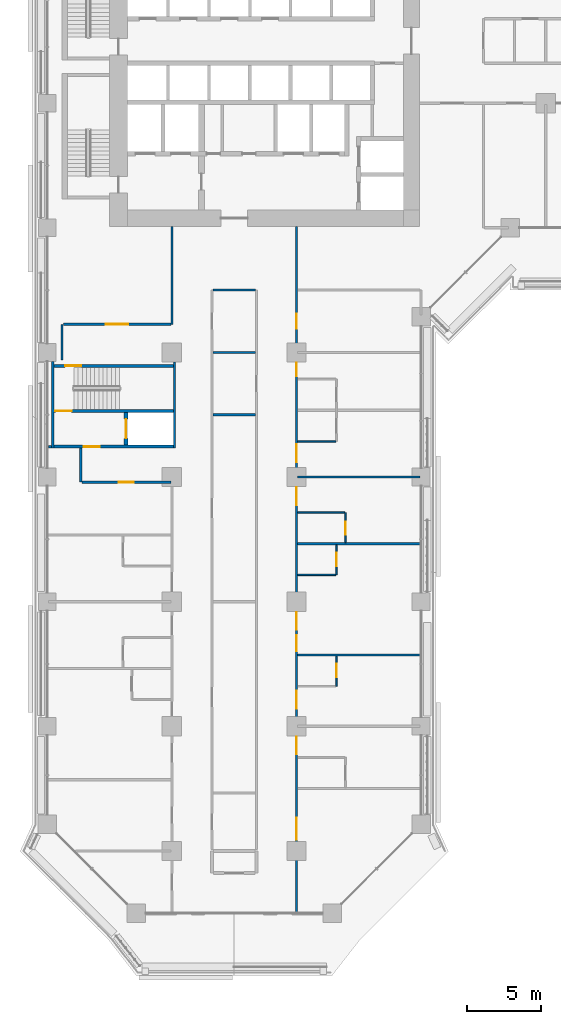
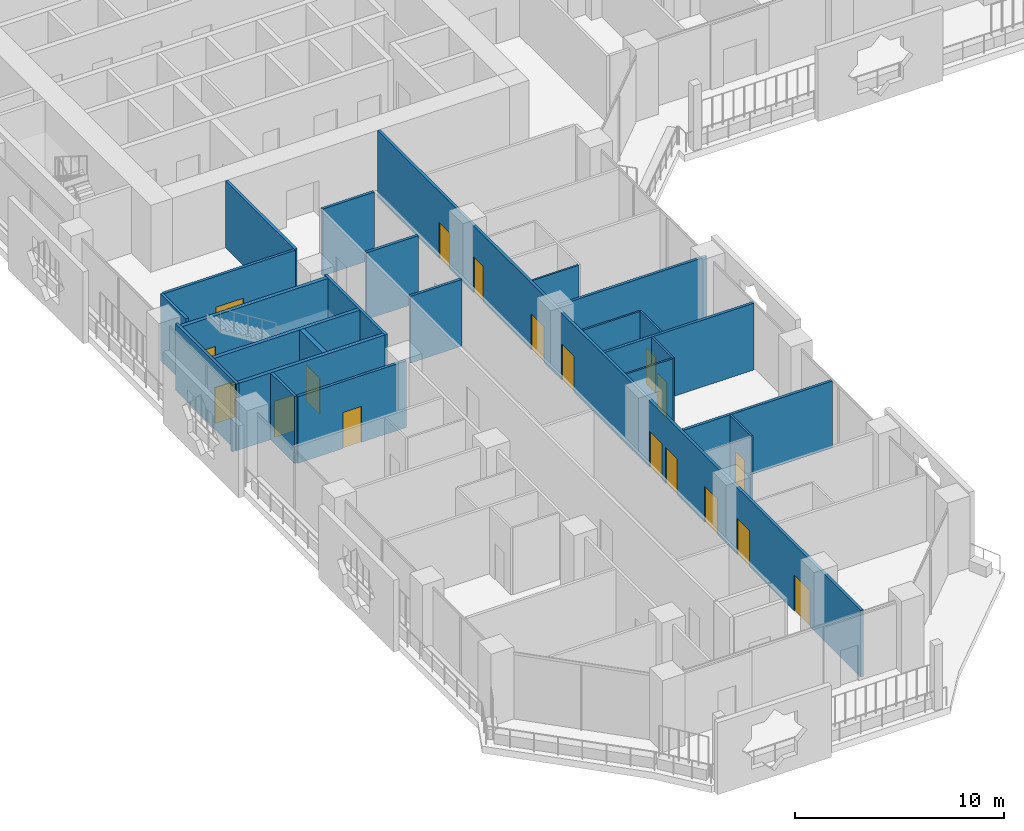
# One storey, part 14 of 29: 25 walls, 18 doors, 18 openings.
"""IFC4 building model written with IfcOpenShell, lengths in metres."""

from ifc_helpers import new_model, si_unit, direction, frame, frame_2d, origin, place, context, subcontext, project, spatial, rectangle, extrude, material, layer, layer_set, type_object, element, fill, save


model = new_model("IFC4")

# Units and contexts
model_context = context("Model", 3, precision=1e-05, world=origin(), true_north=direction((0.0, 1.0)))
body_context = subcontext(model_context, "Body", "Model", "MODEL_VIEW")
ifc_project = project(units=[si_unit("LENGTHUNIT", "METRE"), si_unit("AREAUNIT", "SQUARE_METRE"), si_unit("VOLUMEUNIT", "CUBIC_METRE"), si_unit("PLANEANGLEUNIT", "RADIAN"), si_unit("MASSUNIT", "GRAM", prefix="KILO")], contexts=[model_context])

# Site, building, storey
site_placement = place(None, origin())
site = spatial("IfcSite", under=ifc_project, at=site_placement, CompositionType="ELEMENT")
building_placement = place(site_placement, origin())
building = spatial("IfcBuilding", under=site, at=building_placement, Name="Kawkab Arch Medical Tower", CompositionType="ELEMENT")
storey_placement = place(building_placement, frame((0.0, 0.0, 64.39990234375)))
storey = spatial("IfcBuildingStorey", under=building, at=storey_placement, Name="L14", CompositionType="ELEMENT", Elevation=64.39990234375)

# Wall, opening, door
ifc_material_1 = material(Name="Concrete C60/75", Category="concrete")
ifc_layer_1 = layer(ifc_material_1, 0.25)
ifc_layer_set_1 = layer_set([ifc_layer_1], Name="Concrete C60/75")
wall_type_1 = type_object("IfcWallType", Name="Core shear wall 250 C60/75", PredefinedType="SHEAR", material=ifc_layer_set_1)
wall_1_placement = place(storey_placement, frame((5.300048828125, -39.85009765625, 0.0), z_axis=(0.0, 0.0, 1.0), x_axis=(0.0, 1.0, 0.0)))
wall_1 = element("IfcWall", 1, at=wall_1_placement, inside=storey, type_object=wall_type_1, Name="L14 core shear wall", PredefinedType="SHEAR", context=body_context, shape_type="SweptSolid", body=[
    extrude(rectangle(XDim=2.2001953125, YDim=0.25, at=frame_2d((1.10009765625, 0.0))), origin(), (0.0, 0.0, 1.0), 3.900146484375),
])
opening_1_placement = place(wall_1_placement, frame((0.449951171875, 0.0, 0.0)))
opening_1 = element("IfcOpeningElement", 2, at=opening_1_placement, cuts=wall_1, Name="Opening LD2", PredefinedType="OPENING", context=body_context, shape_type="SweptSolid", body=[
    extrude(rectangle(XDim=1.300048828125, YDim=2.10009765625, at=frame_2d((0.64990234375, 1.050048828125))), frame((0.0, 0.135009765625, 0.0), z_axis=(0.0, -1.0, 0.0), x_axis=(1.0, 0.0, 0.0)), (0.0, 0.0, 1.0), 0.27001953125),
])
ifc_material_2 = material(Name="Stainless steel lift door leaf", Category="steel")
door_type_1 = type_object("IfcDoorType", Name="Lift landing door 1300", OperationType="DOUBLE_DOOR_SLIDING", PredefinedType="DOOR", material=ifc_material_2)
door_1_placement = place(opening_1_placement, origin())
door_1 = element("IfcDoor", 3, at=door_1_placement, inside=storey, type_object=door_type_1, Name="L14 Lift landing door SV2", OperationType="DOUBLE_DOOR_SLIDING", OverallHeight=2.10009765625, OverallWidth=1.300048828125, PredefinedType="DOOR", context=body_context, shape_type="SweptSolid", body=[
    extrude(rectangle(XDim=1.300048828125, YDim=2.10009765625, at=frame_2d((0.64990234375, 1.050048828125))), frame((0.0, 0.02490234375, 0.0), z_axis=(0.0, -1.0, 0.0), x_axis=(1.0, 0.0, 0.0)), (0.0, 0.0, 1.0), 0.050048828125),
])
fill(opening_1, door_1)

# Walls
ifc_material_3 = material(Name="Gypsum board partition on steel studs", Category="steel")
ifc_layer_2 = layer(ifc_material_3, 0.10009765625)
ifc_layer_set_2 = layer_set([ifc_layer_2], Name="Gypsum board partition on steel studs")
wall_type_2 = type_object("IfcWallType", Name="Partition 100", PredefinedType="PARTITIONING", material=ifc_layer_set_2)
wall_2_placement = place(storey_placement, frame((16.875, -48.60009765625, 0.0), z_axis=(0.0, 0.0, 1.0), x_axis=(1.0, 0.0, 0.0)))
element("IfcWall", 4, at=wall_2_placement, inside=storey, type_object=wall_type_2, Name="Partition 100 w005", PredefinedType="PARTITIONING", context=body_context, shape_type="SweptSolid", body=[
    extrude(rectangle(XDim=2.573974609375, YDim=0.10009765625, at=frame_2d((1.287109375, 0.0))), origin(), (0.0, 0.0, 1.0), 3.900146484375),
])
wall_3_placement = place(storey_placement, frame((16.875, -44.39990234375, 0.0), z_axis=(0.0, 0.0, 1.0), x_axis=(1.0, 0.0, 0.0)))
element("IfcWall", 5, at=wall_3_placement, inside=storey, type_object=wall_type_2, Name="Partition 100 w007", PredefinedType="PARTITIONING", context=body_context, shape_type="SweptSolid", body=[
    extrude(rectangle(XDim=3.175048828125, YDim=0.10009765625, at=frame_2d((1.58740234375, 0.0))), origin(), (0.0, 0.0, 1.0), 3.900146484375),
])
wall_4_placement = place(storey_placement, frame((16.875, -39.60009765625, 0.0), z_axis=(0.0, 0.0, 1.0), x_axis=(1.0, 0.0, 0.0)))
element("IfcWall", 6, at=wall_4_placement, inside=storey, type_object=wall_type_2, Name="Partition 100 w008", PredefinedType="PARTITIONING", context=body_context, shape_type="SweptSolid", body=[
    extrude(rectangle(XDim=2.574951171875, YDim=0.10009765625, at=frame_2d((1.28759765625, 0.0))), origin(), (0.0, 0.0, 1.0), 3.900146484375),
])

# Wall, opening, door
wall_5_placement = place(storey_placement, frame((19.5, -56.10009765625, 0.0), z_axis=(0.0, 0.0, 1.0), x_axis=(0.0, 1.0, 0.0)))
wall_5 = element("IfcWall", 7, at=wall_5_placement, inside=storey, type_object=wall_type_2, Name="Partition 100 w022", PredefinedType="PARTITIONING", context=body_context, shape_type="SweptSolid", body=[
    extrude(rectangle(XDim=2.025146484375, YDim=0.10009765625, at=frame_2d((1.0126953125, 0.0))), origin(), (0.0, 0.0, 1.0), 3.900146484375),
])
opening_2_placement = place(wall_5_placement, frame((0.60009765625, 0.0, 0.0)))
opening_2 = element("IfcOpeningElement", 8, at=opening_2_placement, cuts=wall_5, Name="Opening W14-026", PredefinedType="OPENING", context=body_context, shape_type="SweptSolid", body=[
    extrude(rectangle(XDim=0.89990234375, YDim=2.10009765625, at=frame_2d((0.449951171875, 1.050048828125))), frame((0.0, 0.06005859375, 0.0), z_axis=(0.0, -1.0, 0.0), x_axis=(1.0, 0.0, 0.0)), (0.0, 0.0, 1.0), 0.1201171875),
])
ifc_material_4 = material(Name="Timber door leaf", Category="wood")
door_type_2 = type_object("IfcDoorType", Name="Single door 900x2100", OperationType="NOTDEFINED", PredefinedType="DOOR", material=ifc_material_4)
door_2_placement = place(opening_2_placement, origin())
door_2 = element("IfcDoor", 9, at=door_2_placement, inside=storey, type_object=door_type_2, Name="Door W14-026", OperationType="SINGLE_SWING_RIGHT", OverallHeight=2.10009765625, OverallWidth=0.89990234375, PredefinedType="DOOR", context=body_context, shape_type="SweptSolid", body=[
    extrude(rectangle(XDim=0.89990234375, YDim=2.10009765625, at=frame_2d((0.449951171875, 1.050048828125))), frame((0.0, 0.02490234375, 0.0), z_axis=(0.0, -1.0, 0.0), x_axis=(1.0, 0.0, 0.0)), (0.0, 0.0, 1.0), 0.050048828125),
])
fill(opening_2, door_2)

wall_6_placement = place(storey_placement, frame((19.5, -48.597900390625, 0.0), z_axis=(0.0, 0.0, 1.0), x_axis=(0.0, 1.0, 0.0)))
wall_6 = element("IfcWall", 10, at=wall_6_placement, inside=storey, type_object=wall_type_2, Name="Partition 100 w023", PredefinedType="PARTITIONING", context=body_context, shape_type="SweptSolid", body=[
    extrude(rectangle(XDim=2.02294921875, YDim=0.10009765625, at=frame_2d((1.011474609375, 0.0))), origin(), (0.0, 0.0, 1.0), 3.900146484375),
])
opening_3_placement = place(wall_6_placement, frame((0.59912109375, 0.0, 0.0)))
opening_3 = element("IfcOpeningElement", 11, at=opening_3_placement, cuts=wall_6, Name="Opening W14-025", PredefinedType="OPENING", context=body_context, shape_type="SweptSolid", body=[
    extrude(rectangle(XDim=0.89990234375, YDim=2.10009765625, at=frame_2d((0.449951171875, 1.050048828125))), frame((0.0, 0.06005859375, 0.0), z_axis=(0.0, -1.0, 0.0), x_axis=(1.0, 0.0, 0.0)), (0.0, 0.0, 1.0), 0.1201171875),
])
door_3_placement = place(opening_3_placement, origin())
door_3 = element("IfcDoor", 12, at=door_3_placement, inside=storey, type_object=door_type_2, Name="Door W14-025", OperationType="SINGLE_SWING_RIGHT", OverallHeight=2.10009765625, OverallWidth=0.89990234375, PredefinedType="DOOR", context=body_context, shape_type="SweptSolid", body=[
    extrude(rectangle(XDim=0.89990234375, YDim=2.10009765625, at=frame_2d((0.449951171875, 1.050048828125))), frame((0.0, 0.02490234375, 0.0), z_axis=(0.0, -1.0, 0.0), x_axis=(1.0, 0.0, 0.0)), (0.0, 0.0, 1.0), 0.050048828125),
])
fill(opening_3, door_3)

wall_7_placement = place(storey_placement, frame((20.10009765625, -46.425048828125, 0.0), z_axis=(0.0, 0.0, 1.0), x_axis=(0.0, 1.0, 0.0)))
wall_7 = element("IfcWall", 13, at=wall_7_placement, inside=storey, type_object=wall_type_2, Name="Partition 100 w026", PredefinedType="PARTITIONING", context=body_context, shape_type="SweptSolid", body=[
    extrude(rectangle(XDim=2.025146484375, YDim=0.10009765625, at=frame_2d((1.0126953125, 0.0))), origin(), (0.0, 0.0, 1.0), 3.900146484375),
])
opening_4_placement = place(wall_7_placement, frame((0.52490234375, 0.0, 0.0)))
opening_4 = element("IfcOpeningElement", 14, at=opening_4_placement, cuts=wall_7, Name="Opening W14-024", PredefinedType="OPENING", context=body_context, shape_type="SweptSolid", body=[
    extrude(rectangle(XDim=0.89990234375, YDim=2.10009765625, at=frame_2d((0.449951171875, 1.050048828125))), frame((0.0, 0.06005859375, 0.0), z_axis=(0.0, -1.0, 0.0), x_axis=(1.0, 0.0, 0.0)), (0.0, 0.0, 1.0), 0.1201171875),
])
door_4_placement = place(opening_4_placement, origin())
door_4 = element("IfcDoor", 15, at=door_4_placement, inside=storey, type_object=door_type_2, Name="Door W14-024", OperationType="SINGLE_SWING_LEFT", OverallHeight=2.10009765625, OverallWidth=0.89990234375, PredefinedType="DOOR", context=body_context, shape_type="SweptSolid", body=[
    extrude(rectangle(XDim=0.89990234375, YDim=2.10009765625, at=frame_2d((0.449951171875, 1.050048828125))), frame((0.0, 0.02490234375, 0.0), z_axis=(0.0, -1.0, 0.0), x_axis=(1.0, 0.0, 0.0)), (0.0, 0.0, 1.0), 0.050048828125),
])
fill(opening_4, door_4)

# Walls
ifc_material_5 = material(Name="Gypsum board partition on steel studs, mineral wool", Category="steel")
ifc_layer_3 = layer(ifc_material_5, 0.14990234375)
ifc_layer_set_3 = layer_set([ifc_layer_3], Name="Gypsum board partition on steel studs, mineral wool")
wall_type_3 = type_object("IfcWallType", Name="Partition 150", PredefinedType="PARTITIONING", material=ifc_layer_set_3)
for number, where, z_axis, x_axis, name in (
    (16, (16.875, -54.0, 0.0), (0.0, 0.0, 1.0), (1.0, 0.0, 0.0), "Partition 150 w046"),
    (17, (16.875, -46.5, 0.0), (0.0, 0.0, 1.0), (1.0, 0.0, 0.0), "Partition 150 w049"),
):
    element("IfcWall", number, at=place(storey_placement, frame(where, z_axis=z_axis, x_axis=x_axis)), inside=storey, type_object=wall_type_3, Name=name, PredefinedType="PARTITIONING", context=body_context, shape_type="SweptSolid", body=[
        extrude(rectangle(XDim=8.2451171875, YDim=0.14990234375, at=frame_2d((4.12255859375, 0.0))), origin(), (0.0, 0.0, 1.0), 3.900146484375),
    ])

# Wall, opening, door
wall_8_placement = place(storey_placement, frame((2.325927734375, -42.35009765625, 0.0), z_axis=(0.0, 0.0, 1.0), x_axis=(1.0, 0.0, 0.0)))
wall_8 = element("IfcWall", 18, at=wall_8_placement, inside=storey, type_object=wall_type_3, Name="Partition 150 w051", PredefinedType="PARTITIONING", context=body_context, shape_type="SweptSolid", body=[
    extrude(rectangle(XDim=5.9990234375, YDim=0.14990234375, at=frame_2d((2.99951171875, 0.0))), origin(), (0.0, 0.0, 1.0), 3.900146484375),
])
opening_5_placement = place(wall_8_placement, frame((2.4990234375, 0.0, 0.0)))
opening_5 = element("IfcOpeningElement", 19, at=opening_5_placement, cuts=wall_8, Name="Opening W14-040", PredefinedType="OPENING", context=body_context, shape_type="SweptSolid", body=[
    extrude(rectangle(XDim=1.0, YDim=2.10009765625, at=frame_2d((0.5, 1.050048828125))), frame((0.0, 0.0849609375, 0.0), z_axis=(0.0, -1.0, 0.0), x_axis=(1.0, 0.0, 0.0)), (0.0, 0.0, 1.0), 0.169921875),
])
ifc_material_6 = material(Name="Hollow metal door leaf")
door_type_3 = type_object("IfcDoorType", Name="Single door 1000x2100 FD30S", OperationType="NOTDEFINED", PredefinedType="DOOR", material=ifc_material_6)
door_5_placement = place(opening_5_placement, origin())
door_5 = element("IfcDoor", 20, at=door_5_placement, inside=storey, type_object=door_type_3, Name="Door W14-040", OperationType="SINGLE_SWING_LEFT", OverallHeight=2.10009765625, OverallWidth=1.0, PredefinedType="DOOR", context=body_context, shape_type="SweptSolid", body=[
    extrude(rectangle(XDim=1.0, YDim=2.10009765625, at=frame_2d((0.5, 1.050048828125))), frame((0.0, 0.02490234375, 0.0), z_axis=(0.0, -1.0, 0.0), x_axis=(1.0, 0.0, 0.0)), (0.0, 0.0, 1.0), 0.050048828125),
])
fill(opening_5, door_5)

# Walls
wall_9_placement = place(storey_placement, frame((16.875, -42.0, 0.0), z_axis=(0.0, 0.0, 1.0), x_axis=(1.0, 0.0, 0.0)))
element("IfcWall", 21, at=wall_9_placement, inside=storey, type_object=wall_type_3, Name="Partition 150 w052", PredefinedType="PARTITIONING", context=body_context, shape_type="SweptSolid", body=[
    extrude(rectangle(XDim=8.2451171875, YDim=0.14990234375, at=frame_2d((4.12255859375, 0.0))), origin(), (0.0, 0.0, 1.0), 3.900146484375),
])
wall_10_placement = place(storey_placement, frame((0.080078125, -39.949951171875, 0.0), z_axis=(0.0, 0.0, 1.0), x_axis=(1.0, 0.0, 0.0)))
element("IfcWall", 22, at=wall_10_placement, inside=storey, type_object=wall_type_3, Name="Partition 150 w053", PredefinedType="PARTITIONING", context=body_context, shape_type="SweptSolid", body=[
    extrude(rectangle(XDim=0.18994140625, YDim=0.14990234375, at=frame_2d((0.094970703125, 0.0))), origin(), (0.0, 0.0, 1.0), 3.900146484375),
])
for number, where, z_axis, x_axis, name in (
    (23, (11.175048828125, -37.800048828125, 0.0), (0.0, 0.0, 1.0), (1.0, 0.0, 0.0), "Partition 150 w054"),
    (24, (11.175048828125, -33.60009765625, 0.0), (0.0, 0.0, 1.0), (1.0, 0.0, 0.0), "Partition 150 w056"),
):
    element("IfcWall", number, at=place(storey_placement, frame(where, z_axis=z_axis, x_axis=x_axis)), inside=storey, type_object=wall_type_3, Name=name, PredefinedType="PARTITIONING", context=body_context, shape_type="SweptSolid", body=[
        extrude(rectangle(XDim=2.849853515625, YDim=0.14990234375, at=frame_2d((1.4248046875, 0.0))), origin(), (0.0, 0.0, 1.0), 3.900146484375),
    ])

# Wall, opening, door
wall_11_placement = place(storey_placement, frame((1.077880859375, -31.70703125, 0.0), z_axis=(0.0, 0.0, 1.0), x_axis=(1.0, 0.0, 0.0)))
wall_11 = element("IfcWall", 25, at=wall_11_placement, inside=storey, type_object=wall_type_3, Name="Partition 150 w058", PredefinedType="PARTITIONING", context=body_context, shape_type="SweptSolid", body=[
    extrude(rectangle(XDim=7.2470703125, YDim=0.14990234375, at=frame_2d((3.62353515625, 0.0))), origin(), (0.0, 0.0, 1.0), 3.900146484375),
])
opening_6_placement = place(wall_11_placement, frame((2.873046875, 0.0, 0.0)))
opening_6 = element("IfcOpeningElement", 26, at=opening_6_placement, cuts=wall_11, Name="Opening W14-003", PredefinedType="OPENING", context=body_context, shape_type="SweptSolid", body=[
    extrude(rectangle(XDim=1.5, YDim=2.10009765625, at=frame_2d((0.75, 1.050048828125))), frame((0.0, 0.0849609375, 0.0), z_axis=(0.0, -1.0, 0.0), x_axis=(1.0, 0.0, 0.0)), (0.0, 0.0, 1.0), 0.169921875),
])
ifc_material_7 = material(Name="Hollow metal door leaf")
door_type_4 = type_object("IfcDoorType", Name="Double door 1500x2100 FD30S", OperationType="NOTDEFINED", PredefinedType="DOOR", material=ifc_material_7)
door_6_placement = place(opening_6_placement, origin())
door_6 = element("IfcDoor", 27, at=door_6_placement, inside=storey, type_object=door_type_4, Name="Door W14-003", OperationType="DOUBLE_DOOR_SINGLE_SWING", OverallHeight=2.10009765625, OverallWidth=1.5, PredefinedType="DOOR", context=body_context, shape_type="SweptSolid", body=[
    extrude(rectangle(XDim=1.5, YDim=2.10009765625, at=frame_2d((0.75, 1.050048828125))), frame((0.0, 0.02490234375, 0.0), z_axis=(0.0, -1.0, 0.0), x_axis=(1.0, 0.0, 0.0)), (0.0, 0.0, 1.0), 0.050048828125),
])
fill(opening_6, door_6)

# Walls
wall_12_placement = place(storey_placement, frame((11.175048828125, -29.39990234375, 0.0), z_axis=(0.0, 0.0, 1.0), x_axis=(1.0, 0.0, 0.0)))
element("IfcWall", 28, at=wall_12_placement, inside=storey, type_object=wall_type_3, Name="Partition 150 w059", PredefinedType="PARTITIONING", context=body_context, shape_type="SweptSolid", body=[
    extrude(rectangle(XDim=2.849853515625, YDim=0.14990234375, at=frame_2d((1.4248046875, 0.0))), origin(), (0.0, 0.0, 1.0), 3.900146484375),
])
wall_13_placement = place(storey_placement, frame((1.0, -34.123046875, 0.0), z_axis=(0.0, 0.0, 1.0), x_axis=(0.0, 1.0, 0.0)))
element("IfcWall", 29, at=wall_13_placement, inside=storey, type_object=wall_type_3, Name="Partition 150 w071", PredefinedType="PARTITIONING", context=body_context, shape_type="SweptSolid", body=[
    extrude(rectangle(XDim=2.4140625, YDim=0.14990234375, at=frame_2d((1.20703125, 0.0))), origin(), (0.0, 0.0, 1.0), 3.900146484375),
])
wall_14_placement = place(storey_placement, frame((2.25, -42.347900390625, 0.0), z_axis=(0.0, 0.0, 1.0), x_axis=(0.0, 1.0, 0.0)))
element("IfcWall", 30, at=wall_14_placement, inside=storey, type_object=wall_type_3, Name="Partition 150 w072", PredefinedType="PARTITIONING", context=body_context, shape_type="SweptSolid", body=[
    extrude(rectangle(XDim=2.2978515625, YDim=0.14990234375, at=frame_2d((1.14892578125, 0.0))), origin(), (0.0, 0.0, 1.0), 3.900146484375),
])
wall_15_placement = place(storey_placement, frame((8.39990234375, -31.70703125, 0.0), z_axis=(0.0, 0.0, 1.0), x_axis=(0.0, 1.0, 0.0)))
element("IfcWall", 31, at=wall_15_placement, inside=storey, type_object=wall_type_3, Name="Partition 150 w074", PredefinedType="PARTITIONING", context=body_context, shape_type="SweptSolid", body=[
    extrude(rectangle(XDim=6.60693359375, YDim=0.14990234375, at=frame_2d((3.303466796875, 0.0))), origin(), (0.0, 0.0, 1.0), 3.900146484375),
])

# Wall, openings, doors
wall_16_placement = place(storey_placement, frame((16.800048828125, -71.320068359375, 0.0), z_axis=(0.0, 0.0, 1.0), x_axis=(0.0, 1.0, 0.0)))
wall_16 = element("IfcWall", 32, at=wall_16_placement, inside=storey, type_object=wall_type_3, Name="Partition 150 w077", PredefinedType="PARTITIONING", context=body_context, shape_type="SweptSolid", body=[
    extrude(rectangle(XDim=46.219970703125, YDim=0.14990234375, at=frame_2d((23.10986328125, 0.0))), origin(), (0.0, 0.0, 1.0), 3.900146484375),
])
opening_7_placement = place(wall_16_placement, frame((39.320068359375, 0.0, 0.0)))
opening_7 = element("IfcOpeningElement", 33, at=opening_7_placement, cuts=wall_16, Name="Opening W14-046", PredefinedType="OPENING", context=body_context, shape_type="SweptSolid", body=[
    extrude(rectangle(XDim=1.0, YDim=2.10009765625, at=frame_2d((0.5, 1.050048828125))), frame((0.0, 0.0849609375, 0.0), z_axis=(0.0, -1.0, 0.0), x_axis=(1.0, 0.0, 0.0)), (0.0, 0.0, 1.0), 0.169921875),
])
opening_8_placement = place(wall_16_placement, frame((36.1201171875, 0.0, 0.0)))
opening_8 = element("IfcOpeningElement", 34, at=opening_8_placement, cuts=wall_16, Name="Opening W14-029", PredefinedType="OPENING", context=body_context, shape_type="SweptSolid", body=[
    extrude(rectangle(XDim=0.89990234375, YDim=2.10009765625, at=frame_2d((0.449951171875, 1.050048828125))), frame((0.0, 0.0849609375, 0.0), z_axis=(0.0, -1.0, 0.0), x_axis=(1.0, 0.0, 0.0)), (0.0, 0.0, 1.0), 0.169921875),
])
opening_9_placement = place(wall_16_placement, frame((30.320068359375, 0.0, 0.0)))
opening_9 = element("IfcOpeningElement", 35, at=opening_9_placement, cuts=wall_16, Name="Opening W14-070", PredefinedType="OPENING", context=body_context, shape_type="SweptSolid", body=[
    extrude(rectangle(XDim=1.199951171875, YDim=2.10009765625, at=frame_2d((0.60009765625, 1.050048828125))), frame((0.0, 0.0849609375, 0.0), z_axis=(0.0, -1.0, 0.0), x_axis=(1.0, 0.0, 0.0)), (0.0, 0.0, 1.0), 0.169921875),
])
opening_10_placement = place(wall_16_placement, frame((27.419921875, 0.0, 0.0)))
opening_10 = element("IfcOpeningElement", 36, at=opening_10_placement, cuts=wall_16, Name="Opening W14-071", PredefinedType="OPENING", context=body_context, shape_type="SweptSolid", body=[
    extrude(rectangle(XDim=1.199951171875, YDim=2.10009765625, at=frame_2d((0.60009765625, 1.050048828125))), frame((0.0, 0.0849609375, 0.0), z_axis=(0.0, -1.0, 0.0), x_axis=(1.0, 0.0, 0.0)), (0.0, 0.0, 1.0), 0.169921875),
])
opening_11_placement = place(wall_16_placement, frame((19.02001953125, 0.0, 0.0)))
opening_11 = element("IfcOpeningElement", 37, at=opening_11_placement, cuts=wall_16, Name="Opening W14-072", PredefinedType="OPENING", context=body_context, shape_type="SweptSolid", body=[
    extrude(rectangle(XDim=1.199951171875, YDim=2.10009765625, at=frame_2d((0.60009765625, 1.050048828125))), frame((0.0, 0.0849609375, 0.0), z_axis=(0.0, -1.0, 0.0), x_axis=(1.0, 0.0, 0.0)), (0.0, 0.0, 1.0), 0.169921875),
])
opening_12_placement = place(wall_16_placement, frame((17.570068359375, 0.0, 0.0)))
opening_12 = element("IfcOpeningElement", 38, at=opening_12_placement, cuts=wall_16, Name="Opening W14-048", PredefinedType="OPENING", context=body_context, shape_type="SweptSolid", body=[
    extrude(rectangle(XDim=1.10009765625, YDim=2.10009765625, at=frame_2d((0.550048828125, 1.050048828125))), frame((0.0, 0.0849609375, 0.0), z_axis=(0.0, -1.0, 0.0), x_axis=(1.0, 0.0, 0.0)), (0.0, 0.0, 1.0), 0.169921875),
])
opening_13_placement = place(wall_16_placement, frame((13.719970703125, 0.0, 0.0)))
opening_13 = element("IfcOpeningElement", 39, at=opening_13_placement, cuts=wall_16, Name="Opening W14-073", PredefinedType="OPENING", context=body_context, shape_type="SweptSolid", body=[
    extrude(rectangle(XDim=1.199951171875, YDim=2.10009765625, at=frame_2d((0.60009765625, 1.050048828125))), frame((0.0, 0.0849609375, 0.0), z_axis=(0.0, -1.0, 0.0), x_axis=(1.0, 0.0, 0.0)), (0.0, 0.0, 1.0), 0.169921875),
])
opening_14_placement = place(wall_16_placement, frame((10.6201171875, 0.0, 0.0)))
opening_14 = element("IfcOpeningElement", 40, at=opening_14_placement, cuts=wall_16, Name="Opening W14-074", PredefinedType="OPENING", context=body_context, shape_type="SweptSolid", body=[
    extrude(rectangle(XDim=1.199951171875, YDim=2.10009765625, at=frame_2d((0.60009765625, 1.050048828125))), frame((0.0, 0.0849609375, 0.0), z_axis=(0.0, -1.0, 0.0), x_axis=(1.0, 0.0, 0.0)), (0.0, 0.0, 1.0), 0.169921875),
])
opening_15_placement = place(wall_16_placement, frame((4.8701171875, 0.0, 0.0)))
opening_15 = element("IfcOpeningElement", 41, at=opening_15_placement, cuts=wall_16, Name="Opening W14-004", PredefinedType="OPENING", context=body_context, shape_type="SweptSolid", body=[
    extrude(rectangle(XDim=1.5, YDim=2.10009765625, at=frame_2d((0.75, 1.050048828125))), frame((0.0, 0.0849609375, 0.0), z_axis=(0.0, -1.0, 0.0), x_axis=(1.0, 0.0, 0.0)), (0.0, 0.0, 1.0), 0.169921875),
])
door_7_placement = place(opening_15_placement, origin())
door_7 = element("IfcDoor", 42, at=door_7_placement, inside=storey, type_object=door_type_4, Name="Door W14-004", OperationType="DOUBLE_DOOR_SINGLE_SWING", OverallHeight=2.10009765625, OverallWidth=1.5, PredefinedType="DOOR", context=body_context, shape_type="SweptSolid", body=[
    extrude(rectangle(XDim=1.5, YDim=2.10009765625, at=frame_2d((0.75, 1.050048828125))), frame((0.0, 0.02490234375, 0.0), z_axis=(0.0, -1.0, 0.0), x_axis=(1.0, 0.0, 0.0)), (0.0, 0.0, 1.0), 0.050048828125),
])
fill(opening_15, door_7)
door_8_placement = place(opening_7_placement, origin())
door_8 = element("IfcDoor", 43, at=door_8_placement, inside=storey, type_object=door_type_3, Name="Door W14-046", OperationType="SINGLE_SWING_LEFT", OverallHeight=2.10009765625, OverallWidth=1.0, PredefinedType="DOOR", context=body_context, shape_type="SweptSolid", body=[
    extrude(rectangle(XDim=1.0, YDim=2.10009765625, at=frame_2d((0.5, 1.050048828125))), frame((0.0, 0.02490234375, 0.0), z_axis=(0.0, -1.0, 0.0), x_axis=(1.0, 0.0, 0.0)), (0.0, 0.0, 1.0), 0.050048828125),
])
fill(opening_7, door_8)
ifc_material_8 = material(Name="Hollow metal door leaf")
door_type_5 = type_object("IfcDoorType", Name="Single door 1100x2100 FD30S", OperationType="NOTDEFINED", PredefinedType="DOOR", material=ifc_material_8)
door_9_placement = place(opening_12_placement, origin())
door_9 = element("IfcDoor", 44, at=door_9_placement, inside=storey, type_object=door_type_5, Name="Door W14-048", OperationType="SINGLE_SWING_RIGHT", OverallHeight=2.10009765625, OverallWidth=1.10009765625, PredefinedType="DOOR", context=body_context, shape_type="SweptSolid", body=[
    extrude(rectangle(XDim=1.10009765625, YDim=2.10009765625, at=frame_2d((0.550048828125, 1.050048828125))), frame((0.0, 0.02490234375, 0.0), z_axis=(0.0, -1.0, 0.0), x_axis=(1.0, 0.0, 0.0)), (0.0, 0.0, 1.0), 0.050048828125),
])
fill(opening_12, door_9)
ifc_material_9 = material(Name="Hollow metal door leaf")
door_type_6 = type_object("IfcDoorType", Name="Single door 1200x2100 FD30S", OperationType="NOTDEFINED", PredefinedType="DOOR", material=ifc_material_9)
door_10_placement = place(opening_9_placement, origin())
door_10 = element("IfcDoor", 45, at=door_10_placement, inside=storey, type_object=door_type_6, Name="Door W14-070", OperationType="SINGLE_SWING_LEFT", OverallHeight=2.10009765625, OverallWidth=1.199951171875, PredefinedType="DOOR", context=body_context, shape_type="SweptSolid", body=[
    extrude(rectangle(XDim=1.199951171875, YDim=2.10009765625, at=frame_2d((0.60009765625, 1.050048828125))), frame((0.0, 0.02490234375, 0.0), z_axis=(0.0, -1.0, 0.0), x_axis=(1.0, 0.0, 0.0)), (0.0, 0.0, 1.0), 0.050048828125),
])
fill(opening_9, door_10)
door_11_placement = place(opening_10_placement, origin())
door_11 = element("IfcDoor", 46, at=door_11_placement, inside=storey, type_object=door_type_6, Name="Door W14-071", OperationType="SINGLE_SWING_LEFT", OverallHeight=2.10009765625, OverallWidth=1.199951171875, PredefinedType="DOOR", context=body_context, shape_type="SweptSolid", body=[
    extrude(rectangle(XDim=1.199951171875, YDim=2.10009765625, at=frame_2d((0.60009765625, 1.050048828125))), frame((0.0, 0.02490234375, 0.0), z_axis=(0.0, -1.0, 0.0), x_axis=(1.0, 0.0, 0.0)), (0.0, 0.0, 1.0), 0.050048828125),
])
fill(opening_10, door_11)
door_12_placement = place(opening_11_placement, origin())
door_12 = element("IfcDoor", 47, at=door_12_placement, inside=storey, type_object=door_type_6, Name="Door W14-072", OperationType="SINGLE_SWING_RIGHT", OverallHeight=2.10009765625, OverallWidth=1.199951171875, PredefinedType="DOOR", context=body_context, shape_type="SweptSolid", body=[
    extrude(rectangle(XDim=1.199951171875, YDim=2.10009765625, at=frame_2d((0.60009765625, 1.050048828125))), frame((0.0, 0.02490234375, 0.0), z_axis=(0.0, -1.0, 0.0), x_axis=(1.0, 0.0, 0.0)), (0.0, 0.0, 1.0), 0.050048828125),
])
fill(opening_11, door_12)
door_13_placement = place(opening_13_placement, origin())
door_13 = element("IfcDoor", 48, at=door_13_placement, inside=storey, type_object=door_type_6, Name="Door W14-073", OperationType="SINGLE_SWING_RIGHT", OverallHeight=2.10009765625, OverallWidth=1.199951171875, PredefinedType="DOOR", context=body_context, shape_type="SweptSolid", body=[
    extrude(rectangle(XDim=1.199951171875, YDim=2.10009765625, at=frame_2d((0.60009765625, 1.050048828125))), frame((0.0, 0.02490234375, 0.0), z_axis=(0.0, -1.0, 0.0), x_axis=(1.0, 0.0, 0.0)), (0.0, 0.0, 1.0), 0.050048828125),
])
fill(opening_13, door_13)
door_14_placement = place(opening_14_placement, origin())
door_14 = element("IfcDoor", 49, at=door_14_placement, inside=storey, type_object=door_type_6, Name="Door W14-074", OperationType="SINGLE_SWING_RIGHT", OverallHeight=2.10009765625, OverallWidth=1.199951171875, PredefinedType="DOOR", context=body_context, shape_type="SweptSolid", body=[
    extrude(rectangle(XDim=1.199951171875, YDim=2.10009765625, at=frame_2d((0.60009765625, 1.050048828125))), frame((0.0, 0.02490234375, 0.0), z_axis=(0.0, -1.0, 0.0), x_axis=(1.0, 0.0, 0.0)), (0.0, 0.0, 1.0), 0.050048828125),
])
fill(opening_14, door_14)
ifc_material_10 = material(Name="Hollow metal door leaf")
door_type_7 = type_object("IfcDoorType", Name="Single door 900x2100 FD30S", OperationType="NOTDEFINED", PredefinedType="DOOR", material=ifc_material_10)
door_15_placement = place(opening_8_placement, origin())
door_15 = element("IfcDoor", 50, at=door_15_placement, inside=storey, type_object=door_type_7, Name="Door W14-029", OperationType="SINGLE_SWING_LEFT", OverallHeight=2.10009765625, OverallWidth=0.89990234375, PredefinedType="DOOR", context=body_context, shape_type="SweptSolid", body=[
    extrude(rectangle(XDim=0.89990234375, YDim=2.10009765625, at=frame_2d((0.449951171875, 1.050048828125))), frame((0.0, 0.02490234375, 0.0), z_axis=(0.0, -1.0, 0.0), x_axis=(1.0, 0.0, 0.0)), (0.0, 0.0, 1.0), 0.050048828125),
])
fill(opening_8, door_15)

# Walls
ifc_material_11 = material(Name="Concrete C50/60", Category="concrete")
ifc_layer_4 = layer(ifc_material_11, 0.14990234375)
ifc_layer_set_4 = layer_set([ifc_layer_4], Name="Concrete C50/60")
wall_type_4 = type_object("IfcWallType", Name="Stair enclosure wall 150 C50/60", PredefinedType="SHEAR", material=ifc_layer_set_4)
wall_17_placement = place(storey_placement, frame((0.375, -40.050048828125, 0.0), z_axis=(0.0, 0.0, 1.0), x_axis=(0.0, 1.0, 0.0)))
element("IfcWall", 51, at=wall_17_placement, inside=storey, type_object=wall_type_4, Name="L14 stair enclosure wall", PredefinedType="SHEAR", context=body_context, shape_type="SweptSolid", body=[
    extrude(rectangle(XDim=5.85009765625, YDim=0.14990234375, at=frame_2d((2.925048828125, 0.0))), origin(), (0.0, 0.0, 1.0), 3.900146484375),
])
wall_18_placement = place(storey_placement, frame((8.574951171875, -40.050048828125, 0.0), z_axis=(0.0, 0.0, 1.0), x_axis=(0.0, 1.0, 0.0)))
element("IfcWall", 52, at=wall_18_placement, inside=storey, type_object=wall_type_4, Name="L14 stair enclosure wall", PredefinedType="SHEAR", context=body_context, shape_type="SweptSolid", body=[
    extrude(rectangle(XDim=5.800048828125, YDim=0.14990234375, at=frame_2d((2.89990234375, 0.0))), origin(), (0.0, 0.0, 1.0), 3.900146484375),
])

# Wall, opening, door
ifc_material_12 = material(Name="Concrete C50/60", Category="concrete")
ifc_layer_5 = layer(ifc_material_12, 0.199951171875)
ifc_layer_set_5 = layer_set([ifc_layer_5], Name="Concrete C50/60")
wall_type_5 = type_object("IfcWallType", Name="Stair enclosure wall 200 C50/60", PredefinedType="SHEAR", material=ifc_layer_set_5)
wall_19_placement = place(storey_placement, frame((0.449951171875, -34.5, 0.0), z_axis=(0.0, 0.0, 1.0), x_axis=(1.0, 0.0, 0.0)))
wall_19 = element("IfcWall", 53, at=wall_19_placement, inside=storey, type_object=wall_type_5, Name="L14 stair enclosure wall", PredefinedType="SHEAR", context=body_context, shape_type="SweptSolid", body=[
    extrude(rectangle(XDim=8.050048828125, YDim=0.199951171875, at=frame_2d((4.02490234375, 0.0))), origin(), (0.0, 0.0, 1.0), 3.900146484375),
])
opening_16_placement = place(wall_19_placement, frame((0.75, 0.0, 0.0)))
opening_16 = element("IfcOpeningElement", 54, at=opening_16_placement, cuts=wall_19, Name="Opening SD", PredefinedType="OPENING", context=body_context, shape_type="SweptSolid", body=[
    extrude(rectangle(XDim=1.10009765625, YDim=2.10009765625, at=frame_2d((0.550048828125, 1.050048828125))), frame((0.0, 0.10986328125, 0.0), z_axis=(0.0, -1.0, 0.0), x_axis=(1.0, 0.0, 0.0)), (0.0, 0.0, 1.0), 0.219970703125),
])
ifc_material_13 = material(Name="Hollow metal fire door leaf")
door_type_8 = type_object("IfcDoorType", Name="Exit stair door 1100", OperationType="SINGLE_SWING_LEFT", PredefinedType="DOOR", material=ifc_material_13)
door_16_placement = place(opening_16_placement, origin())
door_16 = element("IfcDoor", 55, at=door_16_placement, inside=storey, type_object=door_type_8, Name="L14 Exit stair ST6 door", OperationType="SINGLE_SWING_LEFT", OverallHeight=2.10009765625, OverallWidth=1.10009765625, PredefinedType="DOOR", context=body_context, shape_type="SweptSolid", body=[
    extrude(rectangle(XDim=1.10009765625, YDim=2.10009765625, at=frame_2d((0.550048828125, 1.050048828125))), frame((0.0, 0.02490234375, 0.0), z_axis=(0.0, -1.0, 0.0), x_axis=(1.0, 0.0, 0.0)), (0.0, 0.0, 1.0), 0.050048828125),
])
fill(opening_16, door_16)

wall_20_placement = place(storey_placement, frame((0.449951171875, -37.550048828125, 0.0), z_axis=(0.0, 0.0, 1.0), x_axis=(1.0, 0.0, 0.0)))
wall_20 = element("IfcWall", 56, at=wall_20_placement, inside=storey, type_object=wall_type_5, Name="L14 stair enclosure wall", PredefinedType="SHEAR", context=body_context, shape_type="SweptSolid", body=[
    extrude(rectangle(XDim=8.050048828125, YDim=0.199951171875, at=frame_2d((4.02490234375, 0.0))), origin(), (0.0, 0.0, 1.0), 3.900146484375),
])
opening_17_placement = place(wall_20_placement, frame((0.10009765625, 0.0, 0.0)))
opening_17 = element("IfcOpeningElement", 57, at=opening_17_placement, cuts=wall_20, Name="Opening SD", PredefinedType="OPENING", context=body_context, shape_type="SweptSolid", body=[
    extrude(rectangle(XDim=1.10009765625, YDim=2.10009765625, at=frame_2d((0.550048828125, 1.050048828125))), frame((0.0, 0.10986328125, 0.0), z_axis=(0.0, -1.0, 0.0), x_axis=(1.0, 0.0, 0.0)), (0.0, 0.0, 1.0), 0.219970703125),
])
door_17_placement = place(opening_17_placement, frame((1.10009765625, 0.0, 0.0), z_axis=(0.0, 0.0, 1.0), x_axis=(-1.0, 0.0, 0.0)))
door_17 = element("IfcDoor", 58, at=door_17_placement, inside=storey, type_object=door_type_8, Name="L14 Exit stair ST6 lobby door", OperationType="SINGLE_SWING_LEFT", OverallHeight=2.10009765625, OverallWidth=1.10009765625, PredefinedType="DOOR", context=body_context, shape_type="SweptSolid", body=[
    extrude(rectangle(XDim=1.10009765625, YDim=2.10009765625, at=frame_2d((0.550048828125, 1.050048828125))), frame((0.0, 0.02490234375, 0.0), z_axis=(0.0, -1.0, 0.0), x_axis=(1.0, 0.0, 0.0)), (0.0, 0.0, 1.0), 0.050048828125),
])
fill(opening_17, door_17)

wall_21_placement = place(storey_placement, frame((0.449951171875, -39.949951171875, 0.0), z_axis=(0.0, 0.0, 1.0), x_axis=(1.0, 0.0, 0.0)))
wall_21 = element("IfcWall", 59, at=wall_21_placement, inside=storey, type_object=wall_type_5, Name="L14 stair enclosure wall", PredefinedType="SHEAR", context=body_context, shape_type="SweptSolid", body=[
    extrude(rectangle(XDim=8.050048828125, YDim=0.199951171875, at=frame_2d((4.02490234375, 0.0))), origin(), (0.0, 0.0, 1.0), 3.900146484375),
])
opening_18_placement = place(wall_21_placement, frame((2.0, 0.0, 0.0)))
opening_18 = element("IfcOpeningElement", 60, at=opening_18_placement, cuts=wall_21, Name="Opening FD", PredefinedType="OPENING", context=body_context, shape_type="SweptSolid", body=[
    extrude(rectangle(XDim=1.10009765625, YDim=2.10009765625, at=frame_2d((0.550048828125, 1.050048828125))), frame((0.0, 0.10986328125, 0.0), z_axis=(0.0, -1.0, 0.0), x_axis=(1.0, 0.0, 0.0)), (0.0, 0.0, 1.0), 0.219970703125),
])
ifc_material_14 = material(Name="Hollow metal fire door leaf")
door_type_9 = type_object("IfcDoorType", Name="Firefighting lobby door 1100", OperationType="SINGLE_SWING_LEFT", PredefinedType="DOOR", material=ifc_material_14)
door_18_placement = place(opening_18_placement, origin())
door_18 = element("IfcDoor", 61, at=door_18_placement, inside=storey, type_object=door_type_9, Name="L14 Service lift lobby door SV2", OperationType="SINGLE_SWING_LEFT", OverallHeight=2.10009765625, OverallWidth=1.10009765625, PredefinedType="DOOR", context=body_context, shape_type="SweptSolid", body=[
    extrude(rectangle(XDim=1.10009765625, YDim=2.10009765625, at=frame_2d((0.550048828125, 1.050048828125))), frame((0.0, 0.02490234375, 0.0), z_axis=(0.0, -1.0, 0.0), x_axis=(1.0, 0.0, 0.0)), (0.0, 0.0, 1.0), 0.050048828125),
])
fill(opening_18, door_18)

save(model, "model.ifc")
